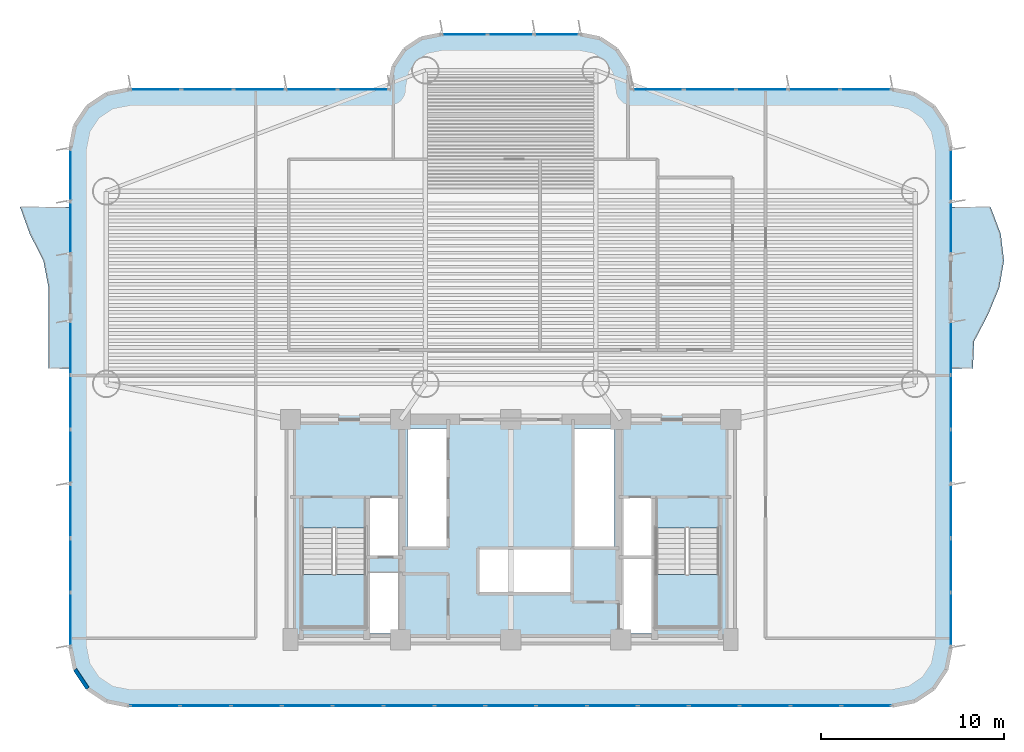
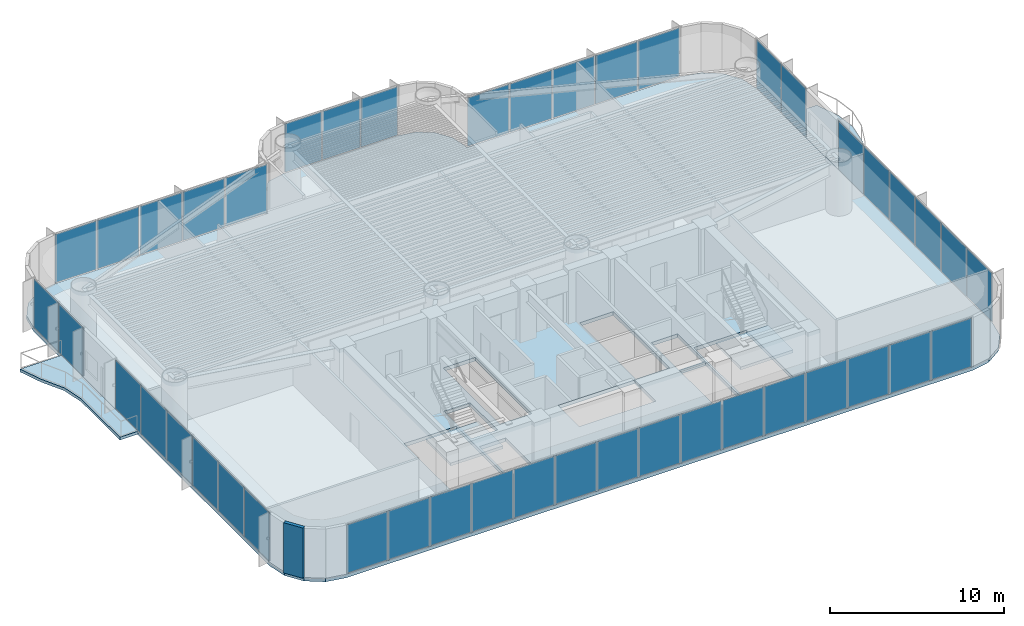
# One storey, part 9 of 16: 44 plates, 5 slabs, 1 wall, 10 elements without a shape of their own.
"""IFC4 building model written with IfcOpenShell, lengths in metres."""

from ifc_helpers import new_model, si_unit, direction, frame, frame_2d, origin, origin_2d, place, context, subcontext, project, spatial, polyline, rectangle, outline, extrude, source, transform, mapped, material, layer, layer_set, type_object, element, aggregate, save


model = new_model("IFC4")

# Units and contexts
model_context = context("Model", 3, precision=1e-05, world=origin(), true_north=direction((0.0, 1.0)))
body_context = subcontext(model_context, "Body", "Model", "MODEL_VIEW")
ifc_project = project(units=[si_unit("LENGTHUNIT", "METRE"), si_unit("AREAUNIT", "SQUARE_METRE"), si_unit("VOLUMEUNIT", "CUBIC_METRE"), si_unit("PLANEANGLEUNIT", "RADIAN"), si_unit("MASSUNIT", "GRAM", prefix="KILO")], contexts=[model_context])

# Site, building, storey
site_placement = place(None, origin())
site = spatial("IfcSite", under=ifc_project, at=site_placement, CompositionType="ELEMENT")
building_placement = place(site_placement, origin())
building = spatial("IfcBuilding", under=site, at=building_placement, Name="Brelvock Crest Care Tower", CompositionType="ELEMENT")
storey_placement = place(building_placement, frame((0.0, 0.0, 61.02001953125)))
storey = spatial("IfcBuildingStorey", under=building, at=storey_placement, Name="L15", CompositionType="ELEMENT", Elevation=61.02001953125)

# Slabs
ifc_material_1 = material(Name="Concrete N50 (50 MPa)", Category="concrete")
ifc_layer_1 = layer(ifc_material_1, 0.22998046875, Name="SLB-FL4")
ifc_layer_set_1 = layer_set([ifc_layer_1], Name="Concrete N50 (50 MPa)")
slab_type_1 = type_object("IfcSlabType", Name="SLB-FL4", PredefinedType="FLOOR", material=ifc_layer_set_1)
slab_1_placement = place(storey_placement, frame((0.0, 0.0, -0.25)))
element("IfcSlab", 1, at=slab_1_placement, inside=storey, type_object=slab_type_1, Name="L15 Main Structural Slab", PredefinedType="FLOOR", context=body_context, shape_type="SweptSolid", body=[
    extrude(outline(polyline([(56.800048828125, 36.0), (42.60009765625, 36.0), (42.60009765625, 36.199951171875), (42.386962890625, 37.271484375), (41.77978515625, 38.179931640625), (40.87158203125, 38.786865234375), (39.800048828125, 39.0), (32.199951171875, 39.0), (31.12841796875, 38.786865234375), (30.22021484375, 38.179931640625), (29.613037109375, 37.271484375), (29.39990234375, 36.199951171875), (29.39990234375, 36.0), (15.199951171875, 36.0), (13.975341796875, 35.75634765625), (12.937255859375, 35.062744140625), (12.24365234375, 34.024658203125), (12.0, 32.800048828125), (12.0, 5.60009765625), (12.24365234375, 4.37548828125), (12.937255859375, 3.33740234375), (13.975341796875, 2.6435546875), (15.199951171875, 2.39990234375), (56.800048828125, 2.39990234375), (58.024658203125, 2.6435546875), (59.062744140625, 3.33740234375), (59.75634765625, 4.37548828125), (60.0, 5.60009765625), (60.0, 32.800048828125), (59.75634765625, 34.024658203125), (59.062744140625, 35.062744140625), (58.024658203125, 35.75634765625), (56.800048828125, 36.0)]), holes=[polyline([(28.239990234375, 10.580078125), (29.97998046875, 10.580078125), (29.97998046875, 13.739990234375), (28.239990234375, 13.739990234375), (28.239990234375, 10.580078125)]), polyline([(42.02001953125, 10.580078125), (43.760009765625, 10.580078125), (43.760009765625, 13.739990234375), (42.02001953125, 13.739990234375), (42.02001953125, 10.580078125)]), polyline([(28.239990234375, 6.340087890625), (29.97998046875, 6.340087890625), (29.97998046875, 9.64990234375), (28.239990234375, 9.64990234375), (28.239990234375, 6.340087890625)]), polyline([(24.6298828125, 12.080078125), (24.6298828125, 6.699951171875), (28.110107421875, 6.699951171875), (28.110107421875, 12.080078125), (24.6298828125, 12.080078125)]), polyline([(43.889892578125, 12.080078125), (43.889892578125, 6.699951171875), (47.3701171875, 6.699951171875), (47.3701171875, 12.080078125), (43.889892578125, 12.080078125)]), polyline([(42.02001953125, 6.340087890625), (43.760009765625, 6.340087890625), (43.760009765625, 10.5), (42.02001953125, 10.5), (42.02001953125, 6.340087890625)]), polyline([(30.3798828125, 11.030029296875), (32.52001953125, 11.030029296875), (32.52001953125, 17.52001953125), (30.3798828125, 17.52001953125), (30.3798828125, 11.030029296875)]), polyline([(34.22998046875, 8.530029296875), (39.320068359375, 8.530029296875), (39.320068359375, 10.969970703125), (34.22998046875, 10.969970703125), (34.22998046875, 8.530029296875)]), polyline([(39.429931640625, 11.030029296875), (41.669921875, 11.030029296875), (41.669921875, 17.52001953125), (39.429931640625, 17.52001953125), (39.429931640625, 11.030029296875)])]), origin(), (0.0, 0.0, 1.0), 0.25),
])
ifc_layer_2 = layer(ifc_material_1, 0.199951171875, Name="SLB-WB2")
ifc_layer_set_2 = layer_set([ifc_layer_2], Name="Concrete N50 (50 MPa)")
slab_type_2 = type_object("IfcSlabType", Name="SLB-WB2", PredefinedType="FLOOR", material=ifc_layer_set_2)
slab_2_placement = place(storey_placement, frame((0.0, 0.0, -0.199951171875)))
element("IfcSlab", 2, at=slab_2_placement, inside=storey, type_object=slab_type_2, Name="L15 W Sinusoidal Wave Balcony Slab", PredefinedType="FLOOR", context=body_context, shape_type="SweptSolid", body=[
    extrude(outline(polyline([(12.0, 29.60009765625), (9.2470703125, 29.60009765625), (9.77490234375, 28.13330078125), (10.520751953125, 26.666748046875), (10.800048828125, 25.199951171875), (10.800048828125, 23.7333984375), (10.800048828125, 22.2666015625), (10.800048828125, 20.800048828125), (12.0, 20.800048828125), (12.0, 29.60009765625)])), origin(), (0.0, 0.0, 1.0), 0.199951171875),
])
slab_3_placement = place(storey_placement, frame((0.0, 0.0, -0.199951171875)))
element("IfcSlab", 3, at=slab_3_placement, inside=storey, type_object=slab_type_2, Name="L15 E Sinusoidal Wave Balcony Slab", PredefinedType="FLOOR", context=body_context, shape_type="SweptSolid", body=[
    extrude(outline(polyline([(60.0, 20.800048828125), (61.199951171875, 20.800048828125), (61.269287109375, 22.2666015625), (62.03369140625, 23.7333984375), (62.64208984375, 25.199951171875), (62.898193359375, 26.666748046875), (62.718994140625, 28.13330078125), (62.162841796875, 29.60009765625), (60.0, 29.60009765625), (60.0, 20.800048828125)])), origin(), (0.0, 0.0, 1.0), 0.199951171875),
])

# Stair, slab
ifc_material_2 = material(Name="Concrete N40 (40 MPa)", Category="concrete")
stair_type = type_object("IfcStairType", Name="ST-CORE1", PredefinedType="HALF_TURN_STAIR", material=ifc_material_2)
stair_1_placement = place(storey_placement, origin())
stair_1 = element("IfcStair", 4, at=stair_1_placement, inside=storey, type_object=stair_type, Name="L15 Fire-Isolated Core Stair ST-1", PredefinedType="HALF_TURN_STAIR")
ifc_layer_3 = layer(ifc_material_2, 0.199951171875, Name="STL-1")
ifc_layer_set_3 = layer_set([ifc_layer_3], Name="Concrete N40 (40 MPa)")
slab_type_3 = type_object("IfcSlabType", Name="STL-1", PredefinedType="LANDING", material=ifc_layer_set_3)
slab_4_placement = place(storey_placement, frame((0.0, 0.0, 1.68994140625)))
slab_4 = element("IfcSlab", 5, at=slab_4_placement, type_object=slab_type_3, Name="ST-1 landing 1", PredefinedType="LANDING", context=body_context, shape_type="SweptSolid", body=[
    extrude(outline(polyline([(24.6298828125, 9.56005859375), (24.6298828125, 6.699951171875), (28.110107421875, 6.699951171875), (28.110107421875, 9.56005859375), (24.6298828125, 9.56005859375)])), origin(), (0.0, 0.0, 1.0), 0.199951171875),
])
aggregate(stair_1, [slab_4])

stair_2_placement = place(storey_placement, origin())
stair_2 = element("IfcStair", 6, at=stair_2_placement, inside=storey, type_object=stair_type, Name="L15 Fire-Isolated Core Stair ST-2", PredefinedType="HALF_TURN_STAIR")
slab_5_placement = place(storey_placement, frame((0.0, 0.0, 1.68994140625)))
slab_5 = element("IfcSlab", 7, at=slab_5_placement, type_object=slab_type_3, Name="ST-2 landing 1", PredefinedType="LANDING", context=body_context, shape_type="SweptSolid", body=[
    extrude(outline(polyline([(43.889892578125, 9.56005859375), (43.889892578125, 6.699951171875), (47.3701171875, 6.699951171875), (47.3701171875, 9.56005859375), (43.889892578125, 9.56005859375)])), origin(), (0.0, 0.0, 1.0), 0.199951171875),
])
aggregate(stair_2, [slab_5])

# Curtain wall, plates
ifc_material_3 = material(Name="Dark Glass Double Glazed Low-E", Category="glass")
ifc_layer_4 = layer(ifc_material_3, 0.195068359375, Name="CWS-2")
ifc_layer_set_4 = layer_set([ifc_layer_4], Name="Dark Glass Double Glazed Low-E")
curtain_wall_type = type_object("IfcCurtainWallType", Name="CWS-2", PredefinedType="NOTDEFINED", material=ifc_layer_set_4)
curtain_wall_1_placement = place(storey_placement, origin())
curtain_wall_1 = element("IfcCurtainWall", 8, at=curtain_wall_1_placement, inside=storey, type_object=curtain_wall_type, Name="L15 Curtain Wall E08", PredefinedType="NOTDEFINED")
ifc_layer_5 = layer(ifc_material_3, 0.031982421875, Name="CWP-V1")
ifc_layer_set_5 = layer_set([ifc_layer_5], Name="Dark Glass Double Glazed Low-E")
plate_type = type_object("IfcPlateType", Name="CWP-V1", PredefinedType="CURTAIN_PANEL", material=ifc_layer_set_5)
shared_shape_1 = source(origin(), body_context, "Body", "SweptSolid", [
    extrude(rectangle(XDim=2.67578125, YDim=0.035888671875, at=origin_2d()), origin(), (0.0, 0.0, 1.0), 3.39990234375),
])
plate_1_placement = place(storey_placement, frame((55.39697265625, 2.39990234375, 0.06494140625), z_axis=(0.0, 0.0, 1.0), x_axis=(-1.0, 0.0, 0.0)))
plate_1 = element("IfcPlate", 9, at=plate_1_placement, type_object=plate_type, Name="CW-2 panel 1.1", PredefinedType="CURTAIN_PANEL", context=body_context, shape_type="MappedRepresentation", body=[
    mapped(shared_shape_1, transform((0.0, 0.0, 0.0), x_axis=(1.0, 0.0, 0.0), y_axis=(0.0, 1.0, 0.0), z_axis=(0.0, 0.0, 1.0), scale=1.0)),
])
plate_2_placement = place(storey_placement, frame((16.60302734375, 2.39990234375, 0.06494140625), z_axis=(0.0, 0.0, 1.0), x_axis=(-1.0, 0.0, 0.0)))
plate_2 = element("IfcPlate", 10, at=plate_2_placement, type_object=plate_type, Name="CW-2 panel 15.1", PredefinedType="CURTAIN_PANEL", context=body_context, shape_type="MappedRepresentation", body=[
    mapped(shared_shape_1, transform((0.0, 0.0, 0.0), x_axis=(1.0, 0.0, 0.0), y_axis=(0.0, 1.0, 0.0), z_axis=(0.0, 0.0, 1.0), scale=1.0)),
])
shared_shape_2 = source(origin(), body_context, "Body", "SweptSolid", [
    extrude(rectangle(XDim=2.708251953125, YDim=0.035888671875, at=origin_2d()), origin(), (0.0, 0.0, 1.0), 3.39990234375),
])
plate_3_placement = place(storey_placement, frame((52.639892578125, 2.39990234375, 0.06494140625), z_axis=(0.0, 0.0, 1.0), x_axis=(-1.0, 0.0, 0.0)))
plate_3 = element("IfcPlate", 11, at=plate_3_placement, type_object=plate_type, Name="CW-2 panel 2.1", PredefinedType="CURTAIN_PANEL", context=body_context, shape_type="MappedRepresentation", body=[
    mapped(shared_shape_2, transform((0.0, 0.0, 0.0), x_axis=(1.0, 0.0, 0.0), y_axis=(0.0, 1.0, 0.0), z_axis=(0.0, 0.0, 1.0), scale=1.0)),
])
plate_4_placement = place(storey_placement, frame((49.86669921875, 2.39990234375, 0.06494140625), z_axis=(0.0, 0.0, 1.0), x_axis=(-1.0, 0.0, 0.0)))
plate_4 = element("IfcPlate", 12, at=plate_4_placement, type_object=plate_type, Name="CW-2 panel 3.1", PredefinedType="CURTAIN_PANEL", context=body_context, shape_type="MappedRepresentation", body=[
    mapped(shared_shape_2, transform((0.0, 0.0, 0.0), x_axis=(1.0, 0.0, 0.0), y_axis=(0.0, 1.0, 0.0), z_axis=(0.0, 0.0, 1.0), scale=1.0)),
])
plate_5_placement = place(storey_placement, frame((47.09326171875, 2.39990234375, 0.06494140625), z_axis=(0.0, 0.0, 1.0), x_axis=(-1.0, 0.0, 0.0)))
plate_5 = element("IfcPlate", 13, at=plate_5_placement, type_object=plate_type, Name="CW-2 panel 4.1", PredefinedType="CURTAIN_PANEL", context=body_context, shape_type="MappedRepresentation", body=[
    mapped(shared_shape_2, transform((0.0, 0.0, 0.0), x_axis=(1.0, 0.0, 0.0), y_axis=(0.0, 1.0, 0.0), z_axis=(0.0, 0.0, 1.0), scale=1.0)),
])
plate_6_placement = place(storey_placement, frame((44.320068359375, 2.39990234375, 0.06494140625), z_axis=(0.0, 0.0, 1.0), x_axis=(-1.0, 0.0, 0.0)))
plate_6 = element("IfcPlate", 14, at=plate_6_placement, type_object=plate_type, Name="CW-2 panel 5.1", PredefinedType="CURTAIN_PANEL", context=body_context, shape_type="MappedRepresentation", body=[
    mapped(shared_shape_2, transform((0.0, 0.0, 0.0), x_axis=(1.0, 0.0, 0.0), y_axis=(0.0, 1.0, 0.0), z_axis=(0.0, 0.0, 1.0), scale=1.0)),
])
plate_7_placement = place(storey_placement, frame((41.546630859375, 2.39990234375, 0.06494140625), z_axis=(0.0, 0.0, 1.0), x_axis=(-1.0, 0.0, 0.0)))
plate_7 = element("IfcPlate", 15, at=plate_7_placement, type_object=plate_type, Name="CW-2 panel 6.1", PredefinedType="CURTAIN_PANEL", context=body_context, shape_type="MappedRepresentation", body=[
    mapped(shared_shape_2, transform((0.0, 0.0, 0.0), x_axis=(1.0, 0.0, 0.0), y_axis=(0.0, 1.0, 0.0), z_axis=(0.0, 0.0, 1.0), scale=1.0)),
])
plate_8_placement = place(storey_placement, frame((38.7734375, 2.39990234375, 0.06494140625), z_axis=(0.0, 0.0, 1.0), x_axis=(-1.0, 0.0, 0.0)))
plate_8 = element("IfcPlate", 16, at=plate_8_placement, type_object=plate_type, Name="CW-2 panel 7.1", PredefinedType="CURTAIN_PANEL", context=body_context, shape_type="MappedRepresentation", body=[
    mapped(shared_shape_2, transform((0.0, 0.0, 0.0), x_axis=(1.0, 0.0, 0.0), y_axis=(0.0, 1.0, 0.0), z_axis=(0.0, 0.0, 1.0), scale=1.0)),
])
plate_9_placement = place(storey_placement, frame((36.0, 2.39990234375, 0.06494140625), z_axis=(0.0, 0.0, 1.0), x_axis=(-1.0, 0.0, 0.0)))
plate_9 = element("IfcPlate", 17, at=plate_9_placement, type_object=plate_type, Name="CW-2 panel 8.1", PredefinedType="CURTAIN_PANEL", context=body_context, shape_type="MappedRepresentation", body=[
    mapped(shared_shape_2, transform((0.0, 0.0, 0.0), x_axis=(1.0, 0.0, 0.0), y_axis=(0.0, 1.0, 0.0), z_axis=(0.0, 0.0, 1.0), scale=1.0)),
])
plate_10_placement = place(storey_placement, frame((33.2265625, 2.39990234375, 0.06494140625), z_axis=(0.0, 0.0, 1.0), x_axis=(-1.0, 0.0, 0.0)))
plate_10 = element("IfcPlate", 18, at=plate_10_placement, type_object=plate_type, Name="CW-2 panel 9.1", PredefinedType="CURTAIN_PANEL", context=body_context, shape_type="MappedRepresentation", body=[
    mapped(shared_shape_2, transform((0.0, 0.0, 0.0), x_axis=(1.0, 0.0, 0.0), y_axis=(0.0, 1.0, 0.0), z_axis=(0.0, 0.0, 1.0), scale=1.0)),
])
plate_11_placement = place(storey_placement, frame((30.453369140625, 2.39990234375, 0.06494140625), z_axis=(0.0, 0.0, 1.0), x_axis=(-1.0, 0.0, 0.0)))
plate_11 = element("IfcPlate", 19, at=plate_11_placement, type_object=plate_type, Name="CW-2 panel 10.1", PredefinedType="CURTAIN_PANEL", context=body_context, shape_type="MappedRepresentation", body=[
    mapped(shared_shape_2, transform((0.0, 0.0, 0.0), x_axis=(1.0, 0.0, 0.0), y_axis=(0.0, 1.0, 0.0), z_axis=(0.0, 0.0, 1.0), scale=1.0)),
])
plate_12_placement = place(storey_placement, frame((27.679931640625, 2.39990234375, 0.06494140625), z_axis=(0.0, 0.0, 1.0), x_axis=(-1.0, 0.0, 0.0)))
plate_12 = element("IfcPlate", 20, at=plate_12_placement, type_object=plate_type, Name="CW-2 panel 11.1", PredefinedType="CURTAIN_PANEL", context=body_context, shape_type="MappedRepresentation", body=[
    mapped(shared_shape_2, transform((0.0, 0.0, 0.0), x_axis=(1.0, 0.0, 0.0), y_axis=(0.0, 1.0, 0.0), z_axis=(0.0, 0.0, 1.0), scale=1.0)),
])
plate_13_placement = place(storey_placement, frame((24.90673828125, 2.39990234375, 0.06494140625), z_axis=(0.0, 0.0, 1.0), x_axis=(-1.0, 0.0, 0.0)))
plate_13 = element("IfcPlate", 21, at=plate_13_placement, type_object=plate_type, Name="CW-2 panel 12.1", PredefinedType="CURTAIN_PANEL", context=body_context, shape_type="MappedRepresentation", body=[
    mapped(shared_shape_2, transform((0.0, 0.0, 0.0), x_axis=(1.0, 0.0, 0.0), y_axis=(0.0, 1.0, 0.0), z_axis=(0.0, 0.0, 1.0), scale=1.0)),
])
plate_14_placement = place(storey_placement, frame((22.13330078125, 2.39990234375, 0.06494140625), z_axis=(0.0, 0.0, 1.0), x_axis=(-1.0, 0.0, 0.0)))
plate_14 = element("IfcPlate", 22, at=plate_14_placement, type_object=plate_type, Name="CW-2 panel 13.1", PredefinedType="CURTAIN_PANEL", context=body_context, shape_type="MappedRepresentation", body=[
    mapped(shared_shape_2, transform((0.0, 0.0, 0.0), x_axis=(1.0, 0.0, 0.0), y_axis=(0.0, 1.0, 0.0), z_axis=(0.0, 0.0, 1.0), scale=1.0)),
])
plate_15_placement = place(storey_placement, frame((19.360107421875, 2.39990234375, 0.06494140625), z_axis=(0.0, 0.0, 1.0), x_axis=(-1.0, 0.0, 0.0)))
plate_15 = element("IfcPlate", 23, at=plate_15_placement, type_object=plate_type, Name="CW-2 panel 14.1", PredefinedType="CURTAIN_PANEL", context=body_context, shape_type="MappedRepresentation", body=[
    mapped(shared_shape_2, transform((0.0, 0.0, 0.0), x_axis=(1.0, 0.0, 0.0), y_axis=(0.0, 1.0, 0.0), z_axis=(0.0, 0.0, 1.0), scale=1.0)),
])
aggregate(curtain_wall_1, [plate_1, plate_3, plate_4, plate_5, plate_6, plate_7, plate_8, plate_9, plate_10, plate_11, plate_12, plate_13, plate_14, plate_15, plate_2])

curtain_wall_2_placement = place(storey_placement, origin())
curtain_wall_2 = element("IfcCurtainWall", 24, at=curtain_wall_2_placement, inside=storey, type_object=curtain_wall_type, Name="L15 Curtain Wall E18", PredefinedType="NOTDEFINED")
shared_shape_3 = source(origin(), body_context, "Body", "SweptSolid", [
    extrude(rectangle(XDim=2.742431640625, YDim=0.035888671875, at=origin_2d()), origin(), (0.0, 0.0, 1.0), 3.39990234375),
])
plate_16_placement = place(storey_placement, frame((16.63623046875, 36.0, 0.06494140625), z_axis=(0.0, 0.0, 1.0), x_axis=(1.0, 0.0, 0.0)))
plate_16 = element("IfcPlate", 25, at=plate_16_placement, type_object=plate_type, Name="CW-2 panel 1.1", PredefinedType="CURTAIN_PANEL", context=body_context, shape_type="MappedRepresentation", body=[
    mapped(shared_shape_3, transform((0.0, 0.0, 0.0), x_axis=(1.0, 0.0, 0.0), y_axis=(0.0, 1.0, 0.0), z_axis=(0.0, 0.0, 1.0), scale=1.0)),
])
plate_17_placement = place(storey_placement, frame((27.9638671875, 36.0, 0.06494140625), z_axis=(0.0, 0.0, 1.0), x_axis=(1.0, 0.0, 0.0)))
plate_17 = element("IfcPlate", 26, at=plate_17_placement, type_object=plate_type, Name="CW-2 panel 5.1", PredefinedType="CURTAIN_PANEL", context=body_context, shape_type="MappedRepresentation", body=[
    mapped(shared_shape_3, transform((0.0, 0.0, 0.0), x_axis=(1.0, 0.0, 0.0), y_axis=(0.0, 1.0, 0.0), z_axis=(0.0, 0.0, 1.0), scale=1.0)),
])

curtain_wall_3_placement = place(storey_placement, origin())
curtain_wall_3 = element("IfcCurtainWall", 27, at=curtain_wall_3_placement, inside=storey, type_object=curtain_wall_type, Name="L15 Curtain Wall E30", PredefinedType="NOTDEFINED")
plate_18_placement = place(storey_placement, frame((44.0361328125, 36.0, 0.06494140625), z_axis=(0.0, 0.0, 1.0), x_axis=(1.0, 0.0, 0.0)))
plate_18 = element("IfcPlate", 28, at=plate_18_placement, type_object=plate_type, Name="CW-2 panel 1.1", PredefinedType="CURTAIN_PANEL", context=body_context, shape_type="MappedRepresentation", body=[
    mapped(shared_shape_3, transform((0.0, 0.0, 0.0), x_axis=(1.0, 0.0, 0.0), y_axis=(0.0, 1.0, 0.0), z_axis=(0.0, 0.0, 1.0), scale=1.0)),
])
plate_19_placement = place(storey_placement, frame((55.36376953125, 36.0, 0.06494140625), z_axis=(0.0, 0.0, 1.0), x_axis=(1.0, 0.0, 0.0)))
plate_19 = element("IfcPlate", 29, at=plate_19_placement, type_object=plate_type, Name="CW-2 panel 5.1", PredefinedType="CURTAIN_PANEL", context=body_context, shape_type="MappedRepresentation", body=[
    mapped(shared_shape_3, transform((0.0, 0.0, 0.0), x_axis=(1.0, 0.0, 0.0), y_axis=(0.0, 1.0, 0.0), z_axis=(0.0, 0.0, 1.0), scale=1.0)),
])

# Plate
shared_shape_4 = source(origin(), body_context, "Body", "SweptSolid", [
    extrude(rectangle(XDim=2.77490234375, YDim=0.035888671875, at=origin_2d()), origin(), (0.0, 0.0, 1.0), 3.39990234375),
])
plate_20_placement = place(storey_placement, frame((19.4599609375, 36.0, 0.06494140625), z_axis=(0.0, 0.0, 1.0), x_axis=(1.0, 0.0, 0.0)))
plate_20 = element("IfcPlate", 30, at=plate_20_placement, type_object=plate_type, Name="CW-2 panel 2.1", PredefinedType="CURTAIN_PANEL", context=body_context, shape_type="MappedRepresentation", body=[
    mapped(shared_shape_4, transform((0.0, 0.0, 0.0), x_axis=(1.0, 0.0, 0.0), y_axis=(0.0, 1.0, 0.0), z_axis=(0.0, 0.0, 1.0), scale=1.0)),
])

plate_21_placement = place(storey_placement, frame((22.300048828125, 36.0, 0.06494140625), z_axis=(0.0, 0.0, 1.0), x_axis=(1.0, 0.0, 0.0)))
plate_21 = element("IfcPlate", 31, at=plate_21_placement, type_object=plate_type, Name="CW-2 panel 3.1", PredefinedType="CURTAIN_PANEL", context=body_context, shape_type="MappedRepresentation", body=[
    mapped(shared_shape_4, transform((0.0, 0.0, 0.0), x_axis=(1.0, 0.0, 0.0), y_axis=(0.0, 1.0, 0.0), z_axis=(0.0, 0.0, 1.0), scale=1.0)),
])

plate_22_placement = place(storey_placement, frame((25.139892578125, 36.0, 0.06494140625), z_axis=(0.0, 0.0, 1.0), x_axis=(1.0, 0.0, 0.0)))
plate_22 = element("IfcPlate", 32, at=plate_22_placement, type_object=plate_type, Name="CW-2 panel 4.1", PredefinedType="CURTAIN_PANEL", context=body_context, shape_type="MappedRepresentation", body=[
    mapped(shared_shape_4, transform((0.0, 0.0, 0.0), x_axis=(1.0, 0.0, 0.0), y_axis=(0.0, 1.0, 0.0), z_axis=(0.0, 0.0, 1.0), scale=1.0)),
])

aggregate(curtain_wall_2, [plate_16, plate_20, plate_21, plate_22, plate_17])

plate_23_placement = place(storey_placement, frame((46.860107421875, 36.0, 0.06494140625), z_axis=(0.0, 0.0, 1.0), x_axis=(1.0, 0.0, 0.0)))
plate_23 = element("IfcPlate", 33, at=plate_23_placement, type_object=plate_type, Name="CW-2 panel 2.1", PredefinedType="CURTAIN_PANEL", context=body_context, shape_type="MappedRepresentation", body=[
    mapped(shared_shape_4, transform((0.0, 0.0, 0.0), x_axis=(1.0, 0.0, 0.0), y_axis=(0.0, 1.0, 0.0), z_axis=(0.0, 0.0, 1.0), scale=1.0)),
])

plate_24_placement = place(storey_placement, frame((49.699951171875, 36.0, 0.06494140625), z_axis=(0.0, 0.0, 1.0), x_axis=(1.0, 0.0, 0.0)))
plate_24 = element("IfcPlate", 34, at=plate_24_placement, type_object=plate_type, Name="CW-2 panel 3.1", PredefinedType="CURTAIN_PANEL", context=body_context, shape_type="MappedRepresentation", body=[
    mapped(shared_shape_4, transform((0.0, 0.0, 0.0), x_axis=(1.0, 0.0, 0.0), y_axis=(0.0, 1.0, 0.0), z_axis=(0.0, 0.0, 1.0), scale=1.0)),
])

plate_25_placement = place(storey_placement, frame((52.5400390625, 36.0, 0.06494140625), z_axis=(0.0, 0.0, 1.0), x_axis=(1.0, 0.0, 0.0)))
plate_25 = element("IfcPlate", 35, at=plate_25_placement, type_object=plate_type, Name="CW-2 panel 4.1", PredefinedType="CURTAIN_PANEL", context=body_context, shape_type="MappedRepresentation", body=[
    mapped(shared_shape_4, transform((0.0, 0.0, 0.0), x_axis=(1.0, 0.0, 0.0), y_axis=(0.0, 1.0, 0.0), z_axis=(0.0, 0.0, 1.0), scale=1.0)),
])

aggregate(curtain_wall_3, [plate_18, plate_23, plate_24, plate_25, plate_19])

# Curtain wall, plates
curtain_wall_4_placement = place(storey_placement, origin())
curtain_wall_4 = element("IfcCurtainWall", 36, at=curtain_wall_4_placement, inside=storey, type_object=curtain_wall_type, Name="L15 Curtain Wall E24", PredefinedType="NOTDEFINED")
shared_shape_5 = source(origin(), body_context, "Body", "SweptSolid", [
    extrude(rectangle(XDim=2.435791015625, YDim=0.035888671875, at=origin_2d()), origin(), (0.0, 0.0, 1.0), 3.39990234375),
])
plate_26_placement = place(storey_placement, frame((33.48291015625, 39.0, 0.06494140625), z_axis=(0.0, 0.0, 1.0), x_axis=(1.0, 0.0, 0.0)))
plate_26 = element("IfcPlate", 37, at=plate_26_placement, type_object=plate_type, Name="CW-2 panel 1.1", PredefinedType="CURTAIN_PANEL", context=body_context, shape_type="MappedRepresentation", body=[
    mapped(shared_shape_5, transform((0.0, 0.0, 0.0), x_axis=(1.0, 0.0, 0.0), y_axis=(0.0, 1.0, 0.0), z_axis=(0.0, 0.0, 1.0), scale=1.0)),
])
plate_27_placement = place(storey_placement, frame((38.51708984375, 39.0, 0.06494140625), z_axis=(0.0, 0.0, 1.0), x_axis=(1.0, 0.0, 0.0)))
plate_27 = element("IfcPlate", 38, at=plate_27_placement, type_object=plate_type, Name="CW-2 panel 3.1", PredefinedType="CURTAIN_PANEL", context=body_context, shape_type="MappedRepresentation", body=[
    mapped(shared_shape_5, transform((0.0, 0.0, 0.0), x_axis=(1.0, 0.0, 0.0), y_axis=(0.0, 1.0, 0.0), z_axis=(0.0, 0.0, 1.0), scale=1.0)),
])
shared_shape_6 = source(origin(), body_context, "Body", "SweptSolid", [
    extrude(rectangle(XDim=2.46826171875, YDim=0.035888671875, at=origin_2d()), origin(), (0.0, 0.0, 1.0), 3.39990234375),
])
plate_28_placement = place(storey_placement, frame((36.0, 39.0, 0.06494140625), z_axis=(0.0, 0.0, 1.0), x_axis=(1.0, 0.0, 0.0)))
plate_28 = element("IfcPlate", 39, at=plate_28_placement, type_object=plate_type, Name="CW-2 panel 2.1", PredefinedType="CURTAIN_PANEL", context=body_context, shape_type="MappedRepresentation", body=[
    mapped(shared_shape_6, transform((0.0, 0.0, 0.0), x_axis=(1.0, 0.0, 0.0), y_axis=(0.0, 1.0, 0.0), z_axis=(0.0, 0.0, 1.0), scale=1.0)),
])
aggregate(curtain_wall_4, [plate_26, plate_28, plate_27])

curtain_wall_5_placement = place(storey_placement, origin())
curtain_wall_5 = element("IfcCurtainWall", 40, at=curtain_wall_5_placement, inside=storey, type_object=curtain_wall_type, Name="L15 Curtain Wall E03A", PredefinedType="NOTDEFINED")
shared_shape_7 = source(origin(), body_context, "Body", "SweptSolid", [
    extrude(rectangle(XDim=2.802490234375, YDim=0.035888671875, at=origin_2d()), origin(), (0.0, 0.0, 1.0), 3.39990234375),
])
plate_29_placement = place(storey_placement, frame((60.0, 31.333740234375, 0.06494140625), z_axis=(0.0, 0.0, 1.0), x_axis=(0.0, -1.0, 0.0)))
plate_29 = element("IfcPlate", 41, at=plate_29_placement, type_object=plate_type, Name="CW-2 panel 1.1", PredefinedType="CURTAIN_PANEL", context=body_context, shape_type="MappedRepresentation", body=[
    mapped(shared_shape_7, transform((0.0, 0.0, 0.0), x_axis=(1.0, 0.0, 0.0), y_axis=(0.0, 1.0, 0.0), z_axis=(0.0, 0.0, 1.0), scale=1.0)),
])
plate_30_placement = place(storey_placement, frame((60.0, 28.46630859375, 0.06494140625), z_axis=(0.0, 0.0, 1.0), x_axis=(0.0, -1.0, 0.0)))
plate_30 = element("IfcPlate", 42, at=plate_30_placement, type_object=plate_type, Name="CW-2 panel 2.1", PredefinedType="CURTAIN_PANEL", context=body_context, shape_type="MappedRepresentation", body=[
    mapped(shared_shape_7, transform((0.0, 0.0, 0.0), x_axis=(1.0, 0.0, 0.0), y_axis=(0.0, 1.0, 0.0), z_axis=(0.0, 0.0, 1.0), scale=1.0)),
])
aggregate(curtain_wall_5, [plate_29, plate_30])

curtain_wall_6_placement = place(storey_placement, origin())
curtain_wall_6 = element("IfcCurtainWall", 43, at=curtain_wall_6_placement, inside=storey, type_object=curtain_wall_type, Name="L15 Curtain Wall E13B", PredefinedType="NOTDEFINED")
plate_31_placement = place(storey_placement, frame((12.0, 28.46630859375, 0.06494140625), z_axis=(0.0, 0.0, 1.0), x_axis=(0.0, 1.0, 0.0)))
plate_31 = element("IfcPlate", 44, at=plate_31_placement, type_object=plate_type, Name="CW-2 panel 1.1", PredefinedType="CURTAIN_PANEL", context=body_context, shape_type="MappedRepresentation", body=[
    mapped(shared_shape_7, transform((0.0, 0.0, 0.0), x_axis=(1.0, 0.0, 0.0), y_axis=(0.0, 1.0, 0.0), z_axis=(0.0, 0.0, 1.0), scale=1.0)),
])
plate_32_placement = place(storey_placement, frame((12.0, 31.333740234375, 0.06494140625), z_axis=(0.0, 0.0, 1.0), x_axis=(0.0, 1.0, 0.0)))
plate_32 = element("IfcPlate", 45, at=plate_32_placement, type_object=plate_type, Name="CW-2 panel 2.1", PredefinedType="CURTAIN_PANEL", context=body_context, shape_type="MappedRepresentation", body=[
    mapped(shared_shape_7, transform((0.0, 0.0, 0.0), x_axis=(1.0, 0.0, 0.0), y_axis=(0.0, 1.0, 0.0), z_axis=(0.0, 0.0, 1.0), scale=1.0)),
])
aggregate(curtain_wall_6, [plate_31, plate_32])

curtain_wall_7_placement = place(storey_placement, origin())
curtain_wall_7 = element("IfcCurtainWall", 46, at=curtain_wall_7_placement, inside=storey, type_object=curtain_wall_type, Name="L15 Curtain Wall E03B", PredefinedType="NOTDEFINED")
shared_shape_8 = source(origin(), body_context, "Body", "SweptSolid", [
    extrude(rectangle(XDim=2.869140625, YDim=0.035888671875, at=origin_2d()), origin(), (0.0, 0.0, 1.0), 3.39990234375),
])
plate_33_placement = place(storey_placement, frame((60.0, 21.900390625, 0.06494140625), z_axis=(0.0, 0.0, 1.0), x_axis=(0.0, -1.0, 0.0)))
plate_33 = element("IfcPlate", 47, at=plate_33_placement, type_object=plate_type, Name="CW-2 panel 1.1", PredefinedType="CURTAIN_PANEL", context=body_context, shape_type="MappedRepresentation", body=[
    mapped(shared_shape_8, transform((0.0, 0.0, 0.0), x_axis=(1.0, 0.0, 0.0), y_axis=(0.0, 1.0, 0.0), z_axis=(0.0, 0.0, 1.0), scale=1.0)),
])
plate_34_placement = place(storey_placement, frame((60.0, 7.099609375, 0.06494140625), z_axis=(0.0, 0.0, 1.0), x_axis=(0.0, -1.0, 0.0)))
plate_34 = element("IfcPlate", 48, at=plate_34_placement, type_object=plate_type, Name="CW-2 panel 6.1", PredefinedType="CURTAIN_PANEL", context=body_context, shape_type="MappedRepresentation", body=[
    mapped(shared_shape_8, transform((0.0, 0.0, 0.0), x_axis=(1.0, 0.0, 0.0), y_axis=(0.0, 1.0, 0.0), z_axis=(0.0, 0.0, 1.0), scale=1.0)),
])

curtain_wall_8_placement = place(storey_placement, origin())
curtain_wall_8 = element("IfcCurtainWall", 49, at=curtain_wall_8_placement, inside=storey, type_object=curtain_wall_type, Name="L15 Curtain Wall E13A", PredefinedType="NOTDEFINED")
plate_35_placement = place(storey_placement, frame((12.0, 7.099609375, 0.06494140625), z_axis=(0.0, 0.0, 1.0), x_axis=(0.0, 1.0, 0.0)))
plate_35 = element("IfcPlate", 50, at=plate_35_placement, type_object=plate_type, Name="CW-2 panel 1.1", PredefinedType="CURTAIN_PANEL", context=body_context, shape_type="MappedRepresentation", body=[
    mapped(shared_shape_8, transform((0.0, 0.0, 0.0), x_axis=(1.0, 0.0, 0.0), y_axis=(0.0, 1.0, 0.0), z_axis=(0.0, 0.0, 1.0), scale=1.0)),
])
plate_36_placement = place(storey_placement, frame((12.0, 21.900390625, 0.06494140625), z_axis=(0.0, 0.0, 1.0), x_axis=(0.0, 1.0, 0.0)))
plate_36 = element("IfcPlate", 51, at=plate_36_placement, type_object=plate_type, Name="CW-2 panel 6.1", PredefinedType="CURTAIN_PANEL", context=body_context, shape_type="MappedRepresentation", body=[
    mapped(shared_shape_8, transform((0.0, 0.0, 0.0), x_axis=(1.0, 0.0, 0.0), y_axis=(0.0, 1.0, 0.0), z_axis=(0.0, 0.0, 1.0), scale=1.0)),
])

# Plate
shared_shape_9 = source(origin(), body_context, "Body", "SweptSolid", [
    extrude(rectangle(XDim=2.901611328125, YDim=0.035888671875, at=origin_2d()), origin(), (0.0, 0.0, 1.0), 3.39990234375),
])
plate_37_placement = place(storey_placement, frame((60.0, 18.949951171875, 0.06494140625), z_axis=(0.0, 0.0, 1.0), x_axis=(0.0, -1.0, 0.0)))
plate_37 = element("IfcPlate", 52, at=plate_37_placement, type_object=plate_type, Name="CW-2 panel 2.1", PredefinedType="CURTAIN_PANEL", context=body_context, shape_type="MappedRepresentation", body=[
    mapped(shared_shape_9, transform((0.0, 0.0, 0.0), x_axis=(1.0, 0.0, 0.0), y_axis=(0.0, 1.0, 0.0), z_axis=(0.0, 0.0, 1.0), scale=1.0)),
])

plate_38_placement = place(storey_placement, frame((60.0, 15.9833984375, 0.06494140625), z_axis=(0.0, 0.0, 1.0), x_axis=(0.0, -1.0, 0.0)))
plate_38 = element("IfcPlate", 53, at=plate_38_placement, type_object=plate_type, Name="CW-2 panel 3.1", PredefinedType="CURTAIN_PANEL", context=body_context, shape_type="MappedRepresentation", body=[
    mapped(shared_shape_9, transform((0.0, 0.0, 0.0), x_axis=(1.0, 0.0, 0.0), y_axis=(0.0, 1.0, 0.0), z_axis=(0.0, 0.0, 1.0), scale=1.0)),
])

plate_39_placement = place(storey_placement, frame((60.0, 13.0166015625, 0.06494140625), z_axis=(0.0, 0.0, 1.0), x_axis=(0.0, -1.0, 0.0)))
plate_39 = element("IfcPlate", 54, at=plate_39_placement, type_object=plate_type, Name="CW-2 panel 4.1", PredefinedType="CURTAIN_PANEL", context=body_context, shape_type="MappedRepresentation", body=[
    mapped(shared_shape_9, transform((0.0, 0.0, 0.0), x_axis=(1.0, 0.0, 0.0), y_axis=(0.0, 1.0, 0.0), z_axis=(0.0, 0.0, 1.0), scale=1.0)),
])

plate_40_placement = place(storey_placement, frame((60.0, 10.050048828125, 0.06494140625), z_axis=(0.0, 0.0, 1.0), x_axis=(0.0, -1.0, 0.0)))
plate_40 = element("IfcPlate", 55, at=plate_40_placement, type_object=plate_type, Name="CW-2 panel 5.1", PredefinedType="CURTAIN_PANEL", context=body_context, shape_type="MappedRepresentation", body=[
    mapped(shared_shape_9, transform((0.0, 0.0, 0.0), x_axis=(1.0, 0.0, 0.0), y_axis=(0.0, 1.0, 0.0), z_axis=(0.0, 0.0, 1.0), scale=1.0)),
])

aggregate(curtain_wall_7, [plate_33, plate_37, plate_38, plate_39, plate_40, plate_34])

plate_41_placement = place(storey_placement, frame((12.0, 10.050048828125, 0.06494140625), z_axis=(0.0, 0.0, 1.0), x_axis=(0.0, 1.0, 0.0)))
plate_41 = element("IfcPlate", 56, at=plate_41_placement, type_object=plate_type, Name="CW-2 panel 2.1", PredefinedType="CURTAIN_PANEL", context=body_context, shape_type="MappedRepresentation", body=[
    mapped(shared_shape_9, transform((0.0, 0.0, 0.0), x_axis=(1.0, 0.0, 0.0), y_axis=(0.0, 1.0, 0.0), z_axis=(0.0, 0.0, 1.0), scale=1.0)),
])

plate_42_placement = place(storey_placement, frame((12.0, 13.0166015625, 0.06494140625), z_axis=(0.0, 0.0, 1.0), x_axis=(0.0, 1.0, 0.0)))
plate_42 = element("IfcPlate", 57, at=plate_42_placement, type_object=plate_type, Name="CW-2 panel 3.1", PredefinedType="CURTAIN_PANEL", context=body_context, shape_type="MappedRepresentation", body=[
    mapped(shared_shape_9, transform((0.0, 0.0, 0.0), x_axis=(1.0, 0.0, 0.0), y_axis=(0.0, 1.0, 0.0), z_axis=(0.0, 0.0, 1.0), scale=1.0)),
])

plate_43_placement = place(storey_placement, frame((12.0, 15.9833984375, 0.06494140625), z_axis=(0.0, 0.0, 1.0), x_axis=(0.0, 1.0, 0.0)))
plate_43 = element("IfcPlate", 58, at=plate_43_placement, type_object=plate_type, Name="CW-2 panel 4.1", PredefinedType="CURTAIN_PANEL", context=body_context, shape_type="MappedRepresentation", body=[
    mapped(shared_shape_9, transform((0.0, 0.0, 0.0), x_axis=(1.0, 0.0, 0.0), y_axis=(0.0, 1.0, 0.0), z_axis=(0.0, 0.0, 1.0), scale=1.0)),
])

plate_44_placement = place(storey_placement, frame((12.0, 18.949951171875, 0.06494140625), z_axis=(0.0, 0.0, 1.0), x_axis=(0.0, 1.0, 0.0)))
plate_44 = element("IfcPlate", 59, at=plate_44_placement, type_object=plate_type, Name="CW-2 panel 5.1", PredefinedType="CURTAIN_PANEL", context=body_context, shape_type="MappedRepresentation", body=[
    mapped(shared_shape_9, transform((0.0, 0.0, 0.0), x_axis=(1.0, 0.0, 0.0), y_axis=(0.0, 1.0, 0.0), z_axis=(0.0, 0.0, 1.0), scale=1.0)),
])

aggregate(curtain_wall_8, [plate_35, plate_41, plate_42, plate_43, plate_44, plate_36])

# Wall
ifc_material_4 = material(Name="Precast concrete N40 (40 MPa)", Category="concrete")
ifc_layer_6 = layer(ifc_material_4, 0.215087890625, Name="WL-EX2")
ifc_layer_set_6 = layer_set([ifc_layer_6], Name="Precast concrete N40 (40 MPa)")
wall_type = type_object("IfcWallType", Name="WL-EX2", PredefinedType="SOLIDWALL", material=ifc_layer_set_6)
wall_placement = place(storey_placement, frame((12.937255859375, 3.33740234375, 0.0), z_axis=(0.0, 0.0, 1.0), x_axis=(-0.555557312883, 0.831478245117, 0.0)))
element("IfcWall", 60, at=wall_placement, inside=storey, type_object=wall_type, Name="L15 Rounded Corner Wall 11", PredefinedType="SOLIDWALL", context=body_context, shape_type="SweptSolid", body=[
    extrude(rectangle(XDim=1.24853515625, YDim=0.215087890625, at=frame_2d((0.624267578125, 0.0))), origin(), (0.0, 0.0, 1.0), 3.530029296875),
])

save(model, "model.ifc")
